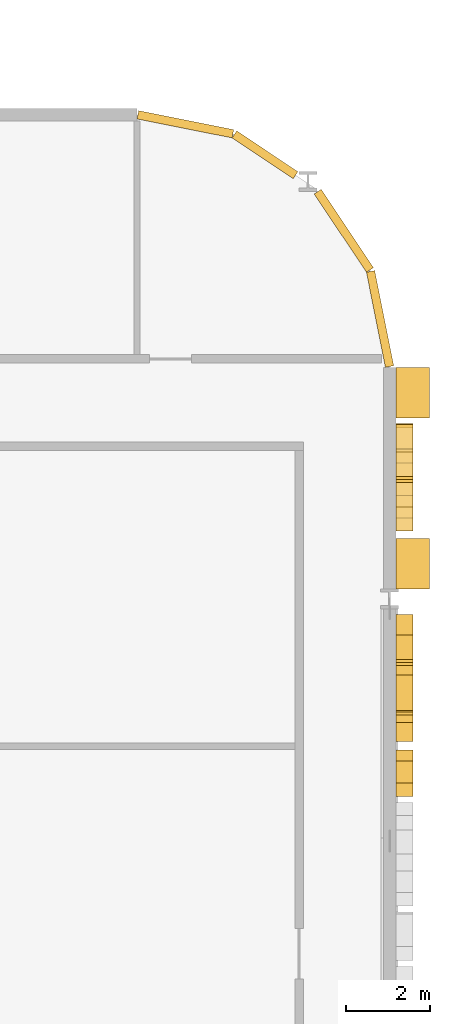
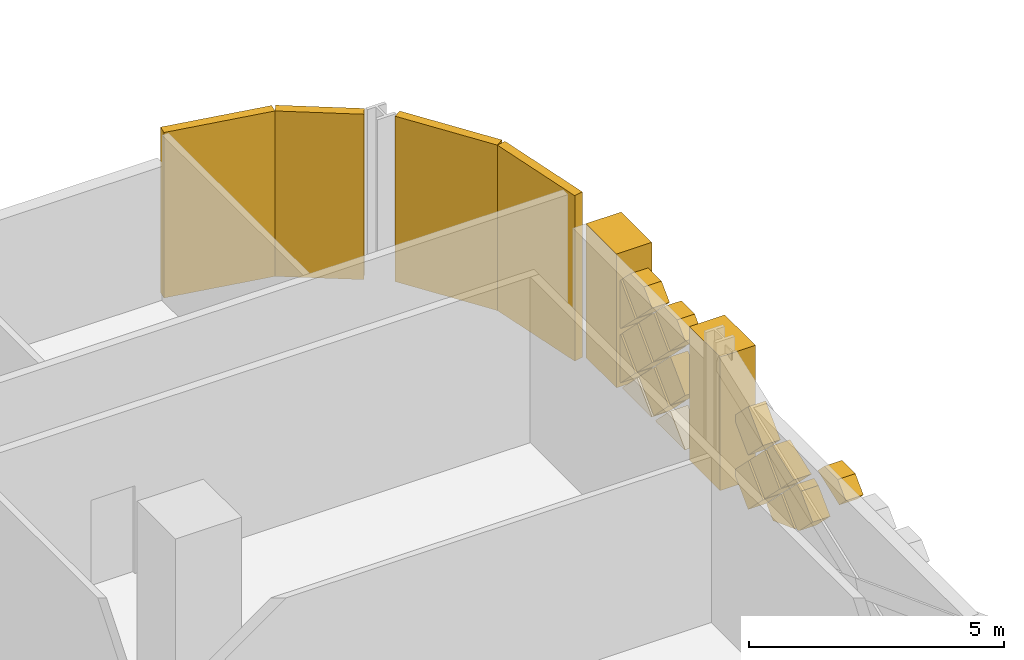
# One storey, part 29 of 29: 23 coverings.
"""IFC4 building model written with IfcOpenShell, lengths in metres."""

from ifc_helpers import new_model, si_unit, direction, frame, origin, origin_2d, place, context, subcontext, project, spatial, polyline, rectangle, outline, extrude, material, layer, layer_set, type_object, element, save


model = new_model("IFC4")

# Units and contexts
model_context = context("Model", 3, precision=1e-05, world=origin(), true_north=direction((0.0, 1.0)))
body_context = subcontext(model_context, "Body", "Model", "MODEL_VIEW")
ifc_project = project(units=[si_unit("LENGTHUNIT", "METRE"), si_unit("AREAUNIT", "SQUARE_METRE"), si_unit("VOLUMEUNIT", "CUBIC_METRE"), si_unit("PLANEANGLEUNIT", "RADIAN"), si_unit("MASSUNIT", "GRAM", prefix="KILO")], contexts=[model_context])

# Site, building, storey
site_placement = place(None, origin())
site = spatial("IfcSite", under=ifc_project, at=site_placement, CompositionType="ELEMENT")
building_placement = place(site_placement, origin())
building = spatial("IfcBuilding", under=site, at=building_placement, Name="Mahtab Terrace Research Tower", CompositionType="ELEMENT")
storey_placement = place(building_placement, frame((0.0, 0.0, 46.0)))
storey = spatial("IfcBuildingStorey", under=building, at=storey_placement, Name="L10", CompositionType="ELEMENT", Elevation=46.0)

# Coverings
ifc_material_1 = material(Name="Black aluminium cladding panel", Category="aluminium")
ifc_layer_1 = layer(ifc_material_1, 0.199951171875)
ifc_layer_set_1 = layer_set([ifc_layer_1], Name="Black metal corner cladding 200")
covering_type_1 = type_object("IfcCoveringType", Name="Black metal corner cladding 200", PredefinedType="CLADDING", material=ifc_layer_set_1)
covering_1_placement = place(storey_placement, frame((52.911376953125, 20.2421875, 0.0), z_axis=(0.0, 0.0, 1.0), x_axis=(-0.555291490808, 0.831655794326, 0.0)))
element("IfcCovering", 1, at=covering_1_placement, inside=storey, type_object=covering_type_1, Name="Corner cladding L10 0", PredefinedType="CLADDING", context=body_context, shape_type="SweptSolid", body=[
    extrude(rectangle(XDim=2.235595703125, YDim=0.199951171875, at=origin_2d()), origin(), (0.0, 0.0, 1.0), 3.9599609375),
])
covering_2_placement = place(storey_placement, frame((51.0380859375, 22.047607421875, 0.0), z_axis=(0.0, 0.0, 1.0), x_axis=(-0.831655794326, 0.555291490808, 0.0)))
element("IfcCovering", 2, at=covering_2_placement, inside=storey, type_object=covering_type_1, Name="Corner cladding L10 1", PredefinedType="CLADDING", context=body_context, shape_type="SweptSolid", body=[
    extrude(rectangle(XDim=1.74462890625, YDim=0.199951171875, at=origin_2d()), origin(), (0.0, 0.0, 1.0), 3.9599609375),
])
for number, where, z_axis, x_axis, name in (
    (3, (49.14794921875, 22.771484375, 0.0), (0.0, 0.0, 1.0), (-0.980760981187, 0.195212442692, 0.0), "Corner cladding L10 2"),
    (4, (53.771484375, 18.14794921875, 0.0), (0.0, 0.0, 1.0), (-0.195212442692, 0.980760981187, 0.0), "Corner cladding L10 39"),
):
    element("IfcCovering", number, at=place(storey_placement, frame(where, z_axis=z_axis, x_axis=x_axis)), inside=storey, type_object=covering_type_1, Name=name, PredefinedType="CLADDING", context=body_context, shape_type="SweptSolid", body=[
        extrude(rectangle(XDim=2.30126953125, YDim=0.199951171875, at=origin_2d()), origin(), (0.0, 0.0, 1.0), 3.9599609375),
    ])
ifc_material_2 = material(Name="Bronze anodised aluminium", Category="aluminium")
ifc_layer_2 = layer(ifc_material_2, 0.39990234375)
ifc_layer_set_2 = layer_set([ifc_layer_2], Name="Mashrabiya relief panel 400")
covering_type_2 = type_object("IfcCoveringType", Name="Mashrabiya relief panel 400", PredefinedType="CLADDING", material=ifc_layer_set_2)
covering_3_placement = place(storey_placement, frame((54.14990234375, 6.80810546875, 2.75), z_axis=(-1.0, 0.0, 0.0), x_axis=(0.0, 0.706835286964, 0.707378171209)))
element("IfcCovering", 5, at=covering_3_placement, inside=storey, type_object=covering_type_2, Name="Mashrabiya lattice cell L10 E37.10", PredefinedType="CLADDING", context=body_context, shape_type="SweptSolid", body=[
    extrude(outline(polyline([(0.0, 0.0), (0.44971027849414613, 0.0), (0.8200395084317461, 0.3706136609897794), (0.8199004738680292, 0.7327986994719885), (-0.00013731154243143417, 0.35769656803390726), (0.0, 0.0)])), origin(), (0.0, 0.0, -1.0), 0.39990234375),
])
covering_4_placement = place(storey_placement, frame((54.14990234375, 8.10791015625, 1.449951171875), z_axis=(-1.0, 0.0, 0.0), x_axis=(0.0, 0.707293970265, 0.706919542541)))
element("IfcCovering", 6, at=covering_4_placement, inside=storey, type_object=covering_type_2, Name="Mashrabiya lattice cell L10 E37.11", PredefinedType="CLADDING", context=body_context, shape_type="SweptSolid", body=[
    extrude(outline(polyline([(0.0, 0.0), (0.6520367202511042, 0.0), (0.8203745251354206, 0.07608680323692152), (0.8205715201903027, 0.8201371255263586), (0.03854183110186876, 0.8203441760132764), (0.00019470972941931786, 0.7354186480169378), (0.0, 0.0)])), origin(), (0.0, 0.0, -1.0), 0.39990234375),
])
covering_5_placement = place(storey_placement, frame((54.14990234375, 9.337890625, 1.3798828125), z_axis=(-1.0, 0.0, 0.0), x_axis=(0.0, 0.707255598772, -0.706957932274)))
element("IfcCovering", 7, at=covering_5_placement, inside=storey, type_object=covering_type_2, Name="Mashrabiya lattice cell L10 E37.12", PredefinedType="CLADDING", context=body_context, shape_type="SweptSolid", body=[
    extrude(outline(polyline([(0.0, 0.0), (0.8201817362875763, 0.0), (0.820278172674925, 0.36201245999398757), (-0.0001550830825938765, 0.7367997254035556), (0.0, 0.0)])), origin(), (0.0, 0.0, -1.0), 0.39990234375),
])
covering_6_placement = place(storey_placement, frame((54.14990234375, 9.91796875, 2.10009765625), z_axis=(-1.0, 0.0, 0.0), x_axis=(0.0, -0.707106781187, -0.707106781187)))
element("IfcCovering", 8, at=covering_6_placement, inside=storey, type_object=covering_type_2, Name="Mashrabiya lattice cell L10 E37.13", PredefinedType="CLADDING", context=body_context, shape_type="SweptSolid", body=[
    extrude(outline(polyline([(0.0, 0.0), (0.8203543516109556, 0.0), (0.8203543516109555, 0.6984751066115165), (0.0, 0.3252414979871718), (0.0, 0.0)])), origin(), (0.0, 0.0, -1.0), 0.39990234375),
])
covering_7_placement = place(storey_placement, frame((54.14990234375, 9.988037109375, 2.030029296875), z_axis=(-1.0, 0.0, 0.0), x_axis=(0.0, 0.707106781187, -0.707106781187)))
element("IfcCovering", 9, at=covering_7_placement, inside=storey, type_object=covering_type_2, Name="Mashrabiya lattice cell L10 E37.14", PredefinedType="CLADDING", context=body_context, shape_type="SweptSolid", body=[
    extrude(outline(polyline([(0.0, 0.0), (0.8203543516109556, 0.0), (0.820181718119455, 0.820181718119455), (0.0, 0.8203543516109556), (0.0, 0.0)])), origin(), (0.0, 0.0, -1.0), 0.39990234375),
])
covering_8_placement = place(storey_placement, frame((54.14990234375, 10.637939453125, 0.219970703125), z_axis=(-1.0, 0.0, 0.0), x_axis=(0.0, -0.706957932274, 0.707255598772)))
element("IfcCovering", 10, at=covering_8_placement, inside=storey, type_object=covering_type_2, Name="Mashrabiya lattice cell L10 E37.15", PredefinedType="CLADDING", context=body_context, shape_type="SweptSolid", body=[
    extrude(outline(polyline([(0.0, 0.0), (0.8201817362875763, 0.0), (0.8203543334390104, 0.8200090664636573), (0.12895725163063232, 0.8203272266021746), (0.00014556298708318094, 0.6915697516322972), (0.0, 0.0)])), origin(), (0.0, 0.0, -1.0), 0.39990234375),
])
covering_9_placement = place(storey_placement, frame((54.14990234375, 10.637939453125, 1.52001953125), z_axis=(-1.0, 0.0, 0.0), x_axis=(0.0, -0.706957932274, 0.707255598772)))
element("IfcCovering", 11, at=covering_9_placement, inside=storey, type_object=covering_type_2, Name="Mashrabiya lattice cell L10 E37.16", PredefinedType="CLADDING", context=body_context, shape_type="SweptSolid", body=[
    extrude(outline(polyline([(0.0, 0.0), (0.8201817362875763, 0.0), (0.8203543334390104, 0.8200090664636573), (0.12878458180671332, 0.8201546294507405), (0.00014556298708318094, 0.6915697516322972), (0.0, 0.0)])), origin(), (0.0, 0.0, -1.0), 0.39990234375),
])
covering_10_placement = place(storey_placement, frame((54.14990234375, 13.10791015625, 0.14990234375), z_axis=(-1.0, 0.0, 0.0), x_axis=(0.0, 0.707106781187, 0.707106781187)))
element("IfcCovering", 12, at=covering_10_placement, inside=storey, type_object=covering_type_2, Name="Mashrabiya lattice cell L10 E38.1", PredefinedType="CLADDING", context=body_context, shape_type="SweptSolid", body=[
    extrude(outline(polyline([(0.0, 0.0), (0.8203543516109556, 0.0), (0.8203543516109556, 0.8203543516109556), (0.7991204321563791, 0.820181718119455), (0.00017263349150062335, 0.021233919454576502), (0.0, 0.0)])), origin(), (0.0, 0.0, -1.0), 0.39990234375),
])
covering_11_placement = place(storey_placement, frame((54.14990234375, 13.68798828125, 2.030029296875), z_axis=(-1.0, 0.0, 0.0), x_axis=(0.0, 0.707106781187, -0.707106781187)))
element("IfcCovering", 13, at=covering_11_placement, inside=storey, type_object=covering_type_2, Name="Mashrabiya lattice cell L10 E38.2", PredefinedType="CLADDING", context=body_context, shape_type="SweptSolid", body=[
    extrude(outline(polyline([(0.0, 0.0), (0.8203543516109556, 0.0), (0.820181718119455, 0.820181718119455), (0.0, 0.8203543516109556), (0.0, 0.0)])), origin(), (0.0, 0.0, -1.0), 0.39990234375),
])
covering_12_placement = place(storey_placement, frame((54.14990234375, 14.26806640625, 2.75), z_axis=(-1.0, 0.0, 0.0), x_axis=(0.0, -0.707106781187, -0.707106781187)))
element("IfcCovering", 14, at=covering_12_placement, inside=storey, type_object=covering_type_2, Name="Mashrabiya lattice cell L10 E38.3", PredefinedType="CLADDING", context=body_context, shape_type="SweptSolid", body=[
    extrude(outline(polyline([(0.0, 0.0), (0.8203543516109556, 0.0), (0.8203543516109556, 0.8203543516109556), (0.37047147276033476, 0.8203543516109556), (0.0, 0.44988287885062084), (0.0, 0.0)])), origin(), (0.0, 0.0, -1.0), 0.39990234375),
])
for number, where, z_axis, x_axis, name in (
    (15, (54.14990234375, 14.337890625, 1.3798828125), (-1.0, 0.0, 0.0), (0.0, 0.707255598772, -0.706957932274), "Mashrabiya lattice cell L10 E38.4"),
    (16, (54.14990234375, 14.337890625, 2.679931640625), (-1.0, 0.0, 0.0), (0.0, 0.707255598772, -0.706957932274), "Mashrabiya lattice cell L10 E38.5"),
):
    element("IfcCovering", number, at=place(storey_placement, frame(where, z_axis=z_axis, x_axis=x_axis)), inside=storey, type_object=covering_type_2, Name=name, PredefinedType="CLADDING", context=body_context, shape_type="SweptSolid", body=[
        extrude(outline(polyline([(0.0, 0.0), (0.8201817362875763, 0.0), (0.8200090664636573, 0.8203543334390104), (-0.00017259715143413956, 0.8200090664636573), (0.0, 0.0)])), origin(), (0.0, 0.0, -1.0), 0.39990234375),
    ])
covering_13_placement = place(storey_placement, frame((54.14990234375, 14.407958984375, 0.14990234375), z_axis=(-1.0, 0.0, 0.0), x_axis=(0.0, 0.707106781187, 0.707106781187)))
element("IfcCovering", 17, at=covering_13_placement, inside=storey, type_object=covering_type_2, Name="Mashrabiya lattice cell L10 E38.6", PredefinedType="CLADDING", context=body_context, shape_type="SweptSolid", body=[
    extrude(outline(polyline([(0.0, 0.0), (0.8203543516109556, 0.0), (0.8203543516109556, 0.8203543516109556), (0.7991204321563791, 0.820181718119455), (0.00017263349150062335, 0.021233919454576502), (0.0, 0.0)])), origin(), (0.0, 0.0, -1.0), 0.39990234375),
])
covering_14_placement = place(storey_placement, frame((54.14990234375, 14.988037109375, 2.030029296875), z_axis=(-1.0, 0.0, 0.0), x_axis=(0.0, 0.707106781187, -0.707106781187)))
element("IfcCovering", 18, at=covering_14_placement, inside=storey, type_object=covering_type_2, Name="Mashrabiya lattice cell L10 E38.7", PredefinedType="CLADDING", context=body_context, shape_type="SweptSolid", body=[
    extrude(outline(polyline([(0.0, 0.0), (0.8203543516109556, 0.0), (0.820181718119455, 0.820181718119455), (0.0, 0.8203543516109556), (0.0, 0.0)])), origin(), (0.0, 0.0, -1.0), 0.39990234375),
])
covering_15_placement = place(storey_placement, frame((54.14990234375, 15.568115234375, 2.75), z_axis=(-1.0, 0.0, 0.0), x_axis=(0.0, -0.707106781187, -0.707106781187)))
element("IfcCovering", 19, at=covering_15_placement, inside=storey, type_object=covering_type_2, Name="Mashrabiya lattice cell L10 E38.8", PredefinedType="CLADDING", context=body_context, shape_type="SweptSolid", body=[
    extrude(outline(polyline([(0.0, 0.0), (0.8203543516109556, 0.0), (0.8203543516109556, 0.8203543516109556), (0.37047147276033476, 0.8203543516109556), (0.0, 0.44988287885062084), (0.0, 0.0)])), origin(), (0.0, 0.0, -1.0), 0.39990234375),
])
for number, where, z_axis, x_axis, name in (
    (20, (54.14990234375, 15.637939453125, 0.219970703125), (-1.0, 0.0, 0.0), (0.0, -0.706957932274, 0.707255598772), "Mashrabiya lattice cell L10 E38.9"),
    (21, (54.14990234375, 15.637939453125, 1.52001953125), (-1.0, 0.0, 0.0), (0.0, -0.706957932274, 0.707255598772), "Mashrabiya lattice cell L10 E38.10"),
):
    element("IfcCovering", number, at=place(storey_placement, frame(where, z_axis=z_axis, x_axis=x_axis)), inside=storey, type_object=covering_type_2, Name=name, PredefinedType="CLADDING", context=body_context, shape_type="SweptSolid", body=[
        extrude(outline(polyline([(0.0, 0.0), (0.8201817362875763, 0.0), (0.8203543334390104, 0.8200090664636573), (0.7822023689987332, 0.8201897302609058), (8.066645814396034e-06, 0.038324634264196196), (0.0, 0.0)])), origin(), (0.0, 0.0, -1.0), 0.39990234375),
    ])
ifc_material_3 = material(Name="Glazed ceramic tile cladding", Category="masonry")
ifc_layer_3 = layer(ifc_material_3, 0.800048828125)
ifc_layer_set_3 = layer_set([ifc_layer_3], Name="Pishtaq frame pier 800")
covering_type_3 = type_object("IfcCoveringType", Name="Pishtaq frame pier 800", PredefinedType="CLADDING", material=ifc_layer_set_3)
for number, where, z_axis, x_axis, name in (
    (22, (54.550048828125, 12.337890625, 0.00048828125), (0.0, 0.0, 1.0), (0.0, 1.0, 0.0), "Pishtaq frame pier 38a"),
    (23, (54.550048828125, 16.39990234375, 0.00048828125), (0.0, 0.0, 1.0), (0.0, 1.0, 0.0), "Pishtaq frame pier 38b"),
):
    element("IfcCovering", number, at=place(storey_placement, frame(where, z_axis=z_axis, x_axis=x_axis)), inside=storey, type_object=covering_type_3, Name=name, PredefinedType="CLADDING", context=body_context, shape_type="SweptSolid", body=[
        extrude(rectangle(XDim=1.199951171875, YDim=0.800048828125, at=origin_2d()), origin(), (0.0, 0.0, 1.0), 3.202880859375),
    ])

save(model, "model.ifc")
